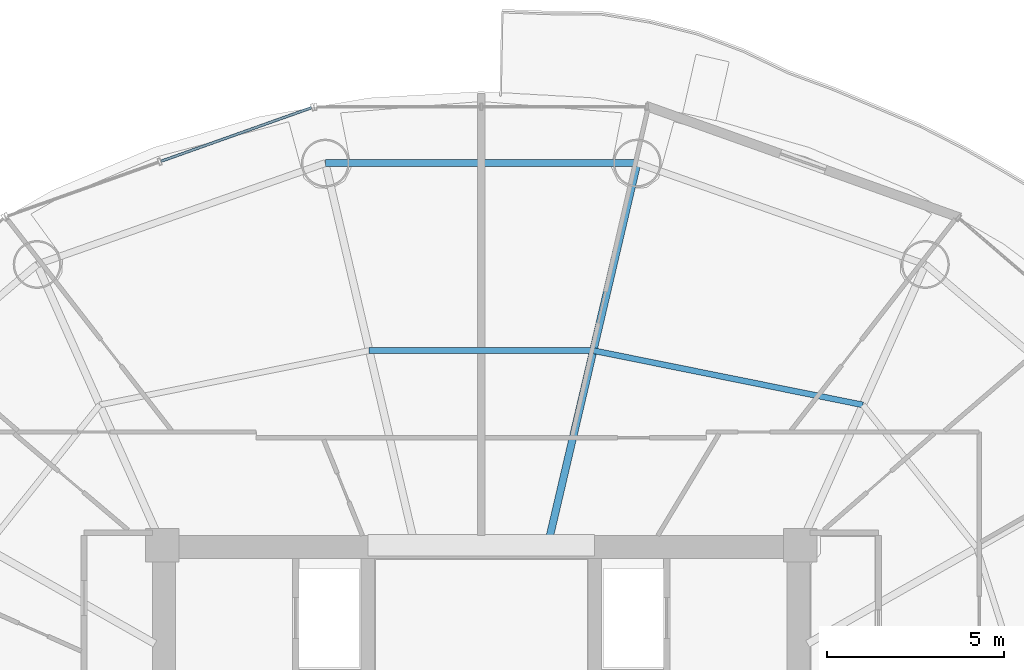
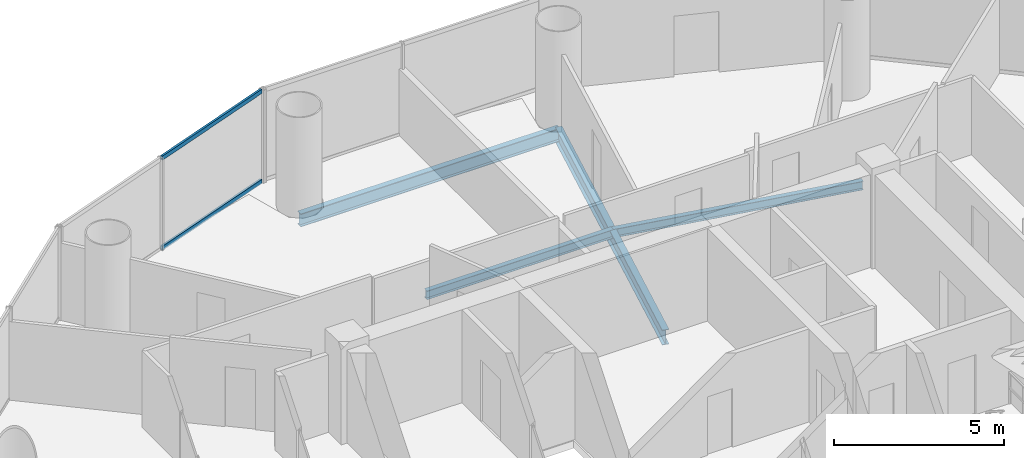
# One storey, part 16 of 27: 4 beams, 2 members, 1 element without a shape of its own.
"""IFC4 building model written with IfcOpenShell, lengths in metres."""

from ifc_helpers import new_model, si_unit, direction, frame, origin, origin_2d, place, context, subcontext, project, spatial, hollow_rectangle, i_section, extrude, source, transform, mapped, material, material_profile, profile_set, type_object, element, aggregate, save


model = new_model("IFC4")

# Units and contexts
model_context = context("Model", 3, precision=1e-05, world=origin(), true_north=direction((-0.2419218956, 0.970295726276)))
body_context = subcontext(model_context, "Body", "Model", "MODEL_VIEW")
ifc_project = project(units=[si_unit("LENGTHUNIT", "METRE"), si_unit("AREAUNIT", "SQUARE_METRE"), si_unit("VOLUMEUNIT", "CUBIC_METRE"), si_unit("PLANEANGLEUNIT", "RADIAN"), si_unit("MASSUNIT", "GRAM", prefix="KILO")], contexts=[model_context])

# Site, building, storey
site_placement = place(None, origin())
site = spatial("IfcSite", under=ifc_project, at=site_placement, CompositionType="ELEMENT")
building_placement = place(site_placement, origin())
building = spatial("IfcBuilding", under=site, at=building_placement, Name="Cobrevalo Terracotta Tower", CompositionType="ELEMENT")
storey_placement = place(building_placement, frame((0.0, 0.0, 160.60009765625)))
storey = spatial("IfcBuildingStorey", under=building, at=storey_placement, Name="L42", CompositionType="ELEMENT", Elevation=160.60009765625)

# Beams
ifc_material_1 = material(Name="Steel S355", Category="steel")
ifc_material_profile_1 = material_profile(ifc_material_1, i_section(OverallWidth=0.2109375, OverallDepth=0.5390625, WebThickness=0.01171875, FlangeThickness=0.018798828125, at=origin_2d()), Name="W 530x109")
ifc_profile_set_1 = profile_set([ifc_material_profile_1], Name="Steel S355")
beam_type_1 = type_object("IfcBeamType", Name="Structural Beam W 530x109 (Steel S355)", PredefinedType="BEAM", material=ifc_profile_set_1)
beam_1_placement = place(storey_placement, frame((42.399169921875, 45.58203125, -0.53955078125), z_axis=(-0.228040864186, -0.973651562039, 0.0), x_axis=(0.973651562039, -0.228040864186, 0.0)))
element("IfcBeam", 1, at=beam_1_placement, inside=storey, type_object=beam_type_1, Name="L42 radial floor girder 04", PredefinedType="BEAM", context=body_context, shape_type="SweptSolid", body=[
    extrude(i_section(OverallWidth=0.2109375, OverallDepth=0.5390625, WebThickness=0.01171875, FlangeThickness=0.018798828125, at=origin_2d()), origin(), (0.0, 0.0, 1.0), 10.86328125),
])
ifc_material_profile_2 = material_profile(ifc_material_1, i_section(OverallWidth=0.1650390625, OverallDepth=0.31005859375, WebThickness=0.005859375, FlangeThickness=0.009765625, at=origin_2d()), Name="W 310x38.7")
ifc_profile_set_2 = profile_set([ifc_material_profile_2], Name="Steel S355")
beam_type_2 = type_object("IfcBeamType", Name="Structural Joist W 310x38.7 (Steel S355)", PredefinedType="JOIST", material=ifc_profile_set_2)
beam_2_placement = place(storey_placement, frame((48.76416015625, 38.76123046875, -0.425048828125), z_axis=(-0.980293928329, 0.197544461026, 0.0), x_axis=(-0.197544461026, -0.980293928329, 0.0)))
element("IfcBeam", 2, at=beam_2_placement, inside=storey, type_object=beam_type_2, Name="L42 circumferential secondary floor joist 03", PredefinedType="JOIST", context=body_context, shape_type="SweptSolid", body=[
    extrude(i_section(OverallWidth=0.1650390625, OverallDepth=0.31005859375, WebThickness=0.005859375, FlangeThickness=0.009765625, at=origin_2d()), origin(), (0.0, 0.0, 1.0), 7.75634765625),
])
beam_3_placement = place(storey_placement, frame((41.16064453125, 40.29345703125, -0.425048828125), z_axis=(-1.0, 0.0, 0.0), x_axis=(0.0, -1.0, 0.0)))
element("IfcBeam", 3, at=beam_3_placement, inside=storey, type_object=beam_type_2, Name="L42 circumferential secondary floor joist 04", PredefinedType="JOIST", context=body_context, shape_type="SweptSolid", body=[
    extrude(i_section(OverallWidth=0.1650390625, OverallDepth=0.31005859375, WebThickness=0.005859375, FlangeThickness=0.009765625, at=origin_2d()), origin(), (0.0, 0.0, 1.0), 6.3212890625),
])
ifc_material_profile_3 = material_profile(ifc_material_1, i_section(OverallWidth=0.194091796875, OverallDepth=0.468994140625, WebThickness=0.011474609375, FlangeThickness=0.0205078125, at=origin_2d()), Name="W 460x106")
ifc_profile_set_3 = profile_set([ifc_material_profile_3], Name="Steel S355")
beam_type_3 = type_object("IfcBeamType", Name="Structural Spandrel W 460x106 (Steel S355)", PredefinedType="SPANDREL", material=ifc_profile_set_3)
beam_4_placement = place(storey_placement, frame((42.399169921875, 45.58203125, -0.504638671875), z_axis=(-1.0, 0.0, 0.0), x_axis=(0.0, -1.0, 0.0)))
element("IfcBeam", 4, at=beam_4_placement, inside=storey, type_object=beam_type_3, Name="L42 perimeter ring spandrel 04", PredefinedType="SPANDREL", context=body_context, shape_type="SweptSolid", body=[
    extrude(i_section(OverallWidth=0.194091796875, OverallDepth=0.468994140625, WebThickness=0.011474609375, FlangeThickness=0.0205078125, at=origin_2d()), origin(), (0.0, 0.0, 1.0), 8.79833984375),
])

# Curtain wall, members
ifc_material_2 = material(Name="Anodized aluminium", Category="aluminium")
curtain_wall_type = type_object("IfcCurtainWallType", Name="Mid-tower high-wind unitised curtain wall CW-U2", PredefinedType="NOTDEFINED", material=ifc_material_2)
curtain_wall_placement = place(storey_placement, origin())
curtain_wall = element("IfcCurtainWall", 5, at=curtain_wall_placement, inside=storey, type_object=curtain_wall_type, Name="L42 curtain wall CW-L42-S05", PredefinedType="NOTDEFINED")
ifc_material_profile_4 = material_profile(ifc_material_2, hollow_rectangle(XDim=0.074951171875, YDim=0.14990234375, WallThickness=0.00439453125, at=origin_2d()), Name="CWT 75x150")
ifc_profile_set_4 = profile_set([ifc_material_profile_4], Name="Anodized aluminium")
member_type = type_object("IfcMemberType", Name="Tower unitised aluminium transom 75x150", PredefinedType="USERDEFINED", material=ifc_profile_set_4)
shared_shape = source(origin(), body_context, "Body", "SweptSolid", [
    extrude(hollow_rectangle(XDim=0.074951171875, YDim=0.14990234375, WallThickness=0.00439453125, at=origin_2d()), origin(), (0.0, 0.0, 1.0), 4.50390625),
])
member_1_placement = place(storey_placement, frame((33.209228515625, 47.14404296875, 0.0498046875), z_axis=(-0.94210437316, -0.335319772863, 0.0), x_axis=(0.335319772863, -0.94210437316, 0.0)))
member_1 = element("IfcMember", 6, at=member_1_placement, type_object=member_type, Name="CW-L42-S05 transom B01-T1", ObjectType="TRANSOM", PredefinedType="USERDEFINED", context=body_context, shape_type="MappedRepresentation", body=[
    mapped(shared_shape, transform((0.0, 0.0, 0.0), scale=1.0)),
])
member_2_placement = place(storey_placement, frame((33.209228515625, 47.14404296875, 3.27978515625), z_axis=(-0.94210437316, -0.335319772863, 0.0), x_axis=(0.335319772863, -0.94210437316, 0.0)))
member_2 = element("IfcMember", 7, at=member_2_placement, type_object=member_type, Name="CW-L42-S05 transom B01-T2", ObjectType="TRANSOM", PredefinedType="USERDEFINED", context=body_context, shape_type="MappedRepresentation", body=[
    mapped(shared_shape, transform((0.0, 0.0, 0.0), scale=1.0)),
])
aggregate(curtain_wall, [member_1, member_2])

save(model, "model.ifc")
